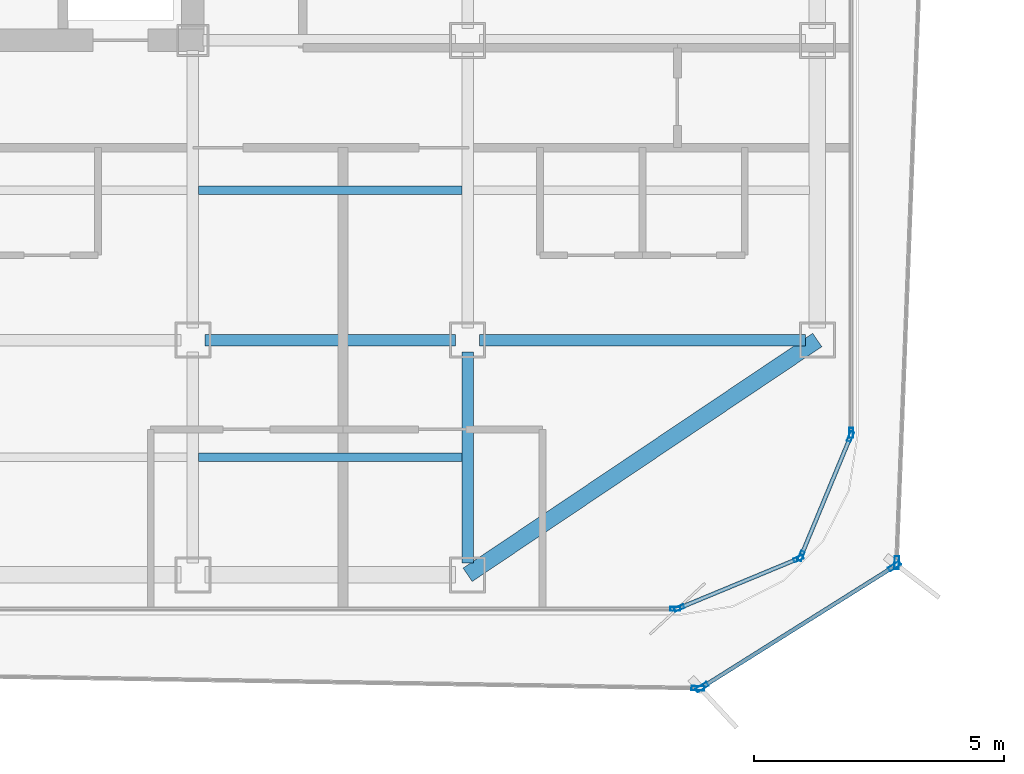
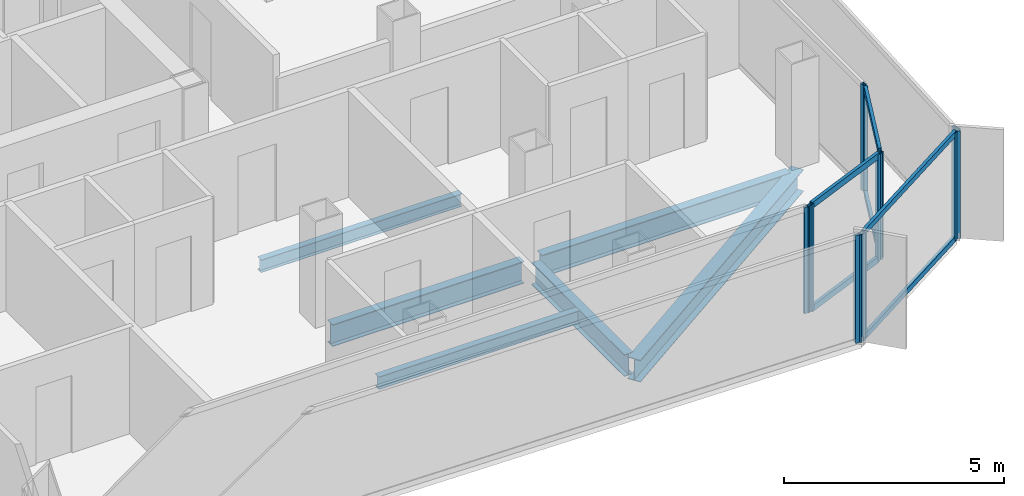
# One storey, part 4 of 16: 16 members, 6 beams, 7 elements without a shape of their own.
"""IFC4 building model written with IfcOpenShell, lengths in metres."""

from ifc_helpers import new_model, si_unit, direction, frame, origin, origin_2d, place, context, subcontext, project, spatial, hollow_rectangle, i_section, extrude, source, transform, mapped, material, layer, layer_set, material_profile, profile_set, type_object, element, aggregate, save


model = new_model("IFC4")

# Units and contexts
model_context = context("Model", 3, precision=1e-05, world=origin(), true_north=direction((0.0, 1.0)))
body_context = subcontext(model_context, "Body", "Model", "MODEL_VIEW")
ifc_project = project(units=[si_unit("LENGTHUNIT", "METRE"), si_unit("AREAUNIT", "SQUARE_METRE"), si_unit("VOLUMEUNIT", "CUBIC_METRE"), si_unit("PLANEANGLEUNIT", "RADIAN"), si_unit("MASSUNIT", "GRAM", prefix="KILO")], contexts=[model_context])

# Site, building, storey
site_placement = place(None, origin())
site = spatial("IfcSite", under=ifc_project, at=site_placement, CompositionType="ELEMENT")
building_placement = place(site_placement, origin())
building = spatial("IfcBuilding", under=site, at=building_placement, Name="Kolveth Station Tower", CompositionType="ELEMENT")
storey_placement = place(building_placement, frame((0.0, 0.0, 206.0)))
storey = spatial("IfcBuildingStorey", under=building, at=storey_placement, Name="L58", CompositionType="ELEMENT", Elevation=206.0)

# Beams
ifc_material_1 = material(Name="Steel S355", Category="steel")
ifc_material_profile_1 = material_profile(ifc_material_1, i_section(OverallWidth=0.323974609375, OverallDepth=0.611083984375, WebThickness=0.0126953125, FlangeThickness=0.01904296875, at=origin_2d()), Name="W610x155")
ifc_profile_set_1 = profile_set([ifc_material_profile_1], Name="Steel S355")
beam_type_1 = type_object("IfcBeamType", Name="Beam_SP2", PredefinedType="SPANDREL", material=ifc_profile_set_1)
shared_shape_1 = source(origin(), body_context, "Body", "SweptSolid", [
    extrude(i_section(OverallWidth=0.323974609375, OverallDepth=0.611083984375, WebThickness=0.0126953125, FlangeThickness=0.01904296875, at=origin_2d()), origin(), (0.0, 0.0, 1.0), 8.431396484375),
])
beam_1_placement = place(storey_placement, frame((34.0, 0.800048828125, -0.555419921875), z_axis=(0.830223811004, 0.557430196206, 0.0), x_axis=(-0.557430196206, 0.830223811004, 0.0)))
element("IfcBeam", 1, at=beam_1_placement, inside=storey, type_object=beam_type_1, Name="L58 Corner Edge Girder BM-L58-CNR-SE", PredefinedType="SPANDREL", context=body_context, shape_type="MappedRepresentation", body=[
    mapped(shared_shape_1, transform((0.0, 0.0, 0.0), x_axis=(1.0, 0.0, 0.0), y_axis=(0.0, 1.0, 0.0), z_axis=(0.0, 0.0, 1.0), scale=1.0)),
])
ifc_material_profile_2 = material_profile(ifc_material_1, i_section(OverallWidth=0.22900390625, OverallDepth=0.612060546875, WebThickness=0.011962890625, FlangeThickness=0.01953125, at=origin_2d()), Name="W610x125")
ifc_profile_set_2 = profile_set([ifc_material_profile_2], Name="Steel S355")
beam_type_2 = type_object("IfcBeamType", Name="Beam_B5", PredefinedType="BEAM", material=ifc_profile_set_2)
shared_shape_2 = source(origin(), body_context, "Body", "SweptSolid", [
    extrude(i_section(OverallWidth=0.22900390625, OverallDepth=0.612060546875, WebThickness=0.011962890625, FlangeThickness=0.01953125, at=origin_2d()), origin(), (0.0, 0.0, 1.0), 6.52001953125),
])
beam_2_placement = place(storey_placement, frame((34.239990234375, 5.5, -0.555908203125), z_axis=(1.0, 0.0, 0.0), x_axis=(0.0, 1.0, 0.0)))
element("IfcBeam", 2, at=beam_2_placement, inside=storey, type_object=beam_type_2, Name="L58 Primary Girder BM-L58-GY55-6", PredefinedType="BEAM", context=body_context, shape_type="MappedRepresentation", body=[
    mapped(shared_shape_2, transform((0.0, 0.0, 0.0), x_axis=(1.0, 0.0, 0.0), y_axis=(0.0, 1.0, 0.0), z_axis=(0.0, 0.0, 1.0), scale=1.0)),
])
shared_shape_3 = source(origin(), body_context, "Body", "SweptSolid", [
    extrude(i_section(OverallWidth=0.22900390625, OverallDepth=0.612060546875, WebThickness=0.011962890625, FlangeThickness=0.01953125, at=origin_2d()), origin(), (0.0, 0.0, 1.0), 5.02001953125),
])
beam_3_placement = place(storey_placement, frame((28.739990234375, 5.5, -0.555908203125), z_axis=(1.0, 0.0, 0.0), x_axis=(0.0, 1.0, 0.0)))
element("IfcBeam", 3, at=beam_3_placement, inside=storey, type_object=beam_type_2, Name="L58 Primary Girder BM-L58-GY55-5", PredefinedType="BEAM", context=body_context, shape_type="MappedRepresentation", body=[
    mapped(shared_shape_3, transform((0.0, 0.0, 0.0), x_axis=(1.0, 0.0, 0.0), y_axis=(0.0, 1.0, 0.0), z_axis=(0.0, 0.0, 1.0), scale=1.0)),
])
shared_shape_4 = source(origin(), body_context, "Body", "SweptSolid", [
    extrude(i_section(OverallWidth=0.22900390625, OverallDepth=0.612060546875, WebThickness=0.011962890625, FlangeThickness=0.01953125, at=origin_2d()), origin(), (0.0, 0.0, 1.0), 4.219970703125),
])
beam_4_placement = place(storey_placement, frame((34.0, 1.0400390625, -0.555908203125), z_axis=(0.0, 1.0, 0.0), x_axis=(-1.0, 0.0, 0.0)))
element("IfcBeam", 4, at=beam_4_placement, inside=storey, type_object=beam_type_2, Name="L58 Primary Girder BM-L58-GX340-1", PredefinedType="BEAM", context=body_context, shape_type="MappedRepresentation", body=[
    mapped(shared_shape_4, transform((0.0, 0.0, 0.0), x_axis=(1.0, 0.0, 0.0), y_axis=(0.0, 1.0, 0.0), z_axis=(0.0, 0.0, 1.0), scale=1.0)),
])
ifc_material_profile_3 = material_profile(ifc_material_1, i_section(OverallWidth=0.1708984375, OverallDepth=0.35205078125, WebThickness=0.0068359375, FlangeThickness=0.009765625, at=origin_2d()), Name="W360x44")
ifc_profile_set_3 = profile_set([ifc_material_profile_3], Name="Steel S355")
beam_type_3 = type_object("IfcBeamType", Name="Beam_J2", PredefinedType="JOIST", material=ifc_profile_set_3)
shared_shape_5 = source(origin(), body_context, "Body", "SweptSolid", [
    extrude(i_section(OverallWidth=0.1708984375, OverallDepth=0.35205078125, WebThickness=0.0068359375, FlangeThickness=0.009765625, at=origin_2d()), origin(), (0.0, 0.0, 1.0), 5.27490234375),
])
for number, where, z_axis, x_axis, name in (
    (5, (28.612548828125, 3.14990234375, -0.426025390625), (1.0, 0.0, 0.0), (0.0, 1.0, 0.0), "L58 Secondary Joist JST-L58-5-1"),
    (6, (28.612548828125, 8.5, -0.426025390625), (1.0, 0.0, 0.0), (0.0, 1.0, 0.0), "L58 Secondary Joist JST-L58-5-2"),
):
    element("IfcBeam", number, at=place(storey_placement, frame(where, z_axis=z_axis, x_axis=x_axis)), inside=storey, type_object=beam_type_3, Name=name, PredefinedType="JOIST", context=body_context, shape_type="MappedRepresentation", body=[
        mapped(shared_shape_5, transform((0.0, 0.0, 0.0), x_axis=(1.0, 0.0, 0.0), y_axis=(0.0, 1.0, 0.0), z_axis=(0.0, 0.0, 1.0), scale=1.0)),
    ])

# Curtain wall, members
ifc_material_2 = material(Name="Aluminium 6063-T6 and low-E dark glass", Category="aluminium")
ifc_layer_1 = layer(ifc_material_2, 0.18994140625)
ifc_layer_set_1 = layer_set([ifc_layer_1], Name="Aluminium 6063-T6 and low-E dark glass")
curtain_wall_type_1 = type_object("IfcCurtainWallType", Name="CurtainWall_CW-Z2", PredefinedType="NOTDEFINED", material=ifc_layer_set_1)
curtain_wall_1_placement = place(storey_placement, origin())
curtain_wall_1 = element("IfcCurtainWall", 7, at=curtain_wall_1_placement, inside=storey, type_object=curtain_wall_type_1, Name="L58 Inner Thermal Curtain Wall 1", PredefinedType="NOTDEFINED")
ifc_material_3 = material(Name="Black anodized aluminium 6063-T6", Category="aluminium")
ifc_material_profile_4 = material_profile(ifc_material_3, hollow_rectangle(XDim=0.080078125, YDim=0.199951171875, WallThickness=0.0048828125, at=origin_2d()), Name="ALU-80x200x5")
ifc_profile_set_4 = profile_set([ifc_material_profile_4], Name="Black anodized aluminium 6063-T6")
member_type_1 = type_object("IfcMemberType", Name="Mullion_ML2", PredefinedType="MULLION", material=ifc_profile_set_4)
shared_shape_6 = source(origin(), body_context, "Body", "SweptSolid", [
    extrude(hollow_rectangle(XDim=0.080078125, YDim=0.199951171875, WallThickness=0.0048828125, at=origin_2d()), origin(), (0.0, 0.0, 1.0), 2.949951171875),
])
member_1_placement = place(storey_placement, frame((38.237060546875, 0.13525390625, 0.0), z_axis=(0.0, 0.0, 1.0), x_axis=(-0.382697753087, 0.923873600544, 0.0)))
member_1 = element("IfcMember", 8, at=member_1_placement, type_object=member_type_1, Name="CW-Z2 mullion 1", PredefinedType="MULLION", context=body_context, shape_type="MappedRepresentation", body=[
    mapped(shared_shape_6, transform((0.0, 0.0, 0.0), x_axis=(1.0, 0.0, 0.0), y_axis=(0.0, 1.0, 0.0), z_axis=(0.0, 0.0, 1.0), scale=1.0)),
])
member_2_placement = place(storey_placement, frame((40.623779296875, 1.1240234375, 0.0), z_axis=(0.0, 0.0, 1.0), x_axis=(-0.382697753087, 0.923873600544, 0.0)))
member_2 = element("IfcMember", 9, at=member_2_placement, type_object=member_type_1, Name="CW-Z2 mullion 2", PredefinedType="MULLION", context=body_context, shape_type="MappedRepresentation", body=[
    mapped(shared_shape_6, transform((0.0, 0.0, 0.0), x_axis=(1.0, 0.0, 0.0), y_axis=(0.0, 1.0, 0.0), z_axis=(0.0, 0.0, 1.0), scale=1.0)),
])

curtain_wall_2_placement = place(storey_placement, origin())
curtain_wall_2 = element("IfcCurtainWall", 10, at=curtain_wall_2_placement, inside=storey, type_object=curtain_wall_type_1, Name="L58 Inner Thermal Curtain Wall 2", PredefinedType="NOTDEFINED")
member_3_placement = place(storey_placement, frame((40.676025390625, 1.17626953125, 0.0), z_axis=(0.0, 0.0, 1.0), x_axis=(-0.923873600544, 0.382697753087, 0.0)))
member_3 = element("IfcMember", 11, at=member_3_placement, type_object=member_type_1, Name="CW-Z2 mullion 1", PredefinedType="MULLION", context=body_context, shape_type="MappedRepresentation", body=[
    mapped(shared_shape_6, transform((0.0, 0.0, 0.0), x_axis=(1.0, 0.0, 0.0), y_axis=(0.0, 1.0, 0.0), z_axis=(0.0, 0.0, 1.0), scale=1.0)),
])
member_4_placement = place(storey_placement, frame((41.664794921875, 3.56298828125, 0.0), z_axis=(0.0, 0.0, 1.0), x_axis=(-0.923873600544, 0.382697753087, 0.0)))
member_4 = element("IfcMember", 12, at=member_4_placement, type_object=member_type_1, Name="CW-Z2 mullion 2", PredefinedType="MULLION", context=body_context, shape_type="MappedRepresentation", body=[
    mapped(shared_shape_6, transform((0.0, 0.0, 0.0), x_axis=(1.0, 0.0, 0.0), y_axis=(0.0, 1.0, 0.0), z_axis=(0.0, 0.0, 1.0), scale=1.0)),
])

# Curtain wall, member
curtain_wall_3_placement = place(storey_placement, origin())
curtain_wall_3 = element("IfcCurtainWall", 13, at=curtain_wall_3_placement, inside=storey, type_object=curtain_wall_type_1, Name="L58 Inner Thermal Curtain Wall 3", PredefinedType="NOTDEFINED")
member_5_placement = place(storey_placement, frame((41.679931640625, 3.639892578125, 0.0), z_axis=(0.0, 0.0, 1.0), x_axis=(-1.0, 0.0, 0.0)))
member_5 = element("IfcMember", 14, at=member_5_placement, type_object=member_type_1, Name="CW-Z2 mullion 1", PredefinedType="MULLION", context=body_context, shape_type="MappedRepresentation", body=[
    mapped(shared_shape_6, transform((0.0, 0.0, 0.0), x_axis=(1.0, 0.0, 0.0), y_axis=(0.0, 1.0, 0.0), z_axis=(0.0, 0.0, 1.0), scale=1.0)),
])
aggregate(curtain_wall_3, [member_5])

curtain_wall_4_placement = place(storey_placement, origin())
curtain_wall_4 = element("IfcCurtainWall", 15, at=curtain_wall_4_placement, inside=storey, type_object=curtain_wall_type_1, Name="L58 Inner Thermal Curtain Wall 12", PredefinedType="NOTDEFINED")
member_6_placement = place(storey_placement, frame((38.159912109375, 0.1201171875, 0.0), z_axis=(0.0, 0.0, 1.0), x_axis=(0.0, 1.0, 0.0)))
member_6 = element("IfcMember", 16, at=member_6_placement, type_object=member_type_1, Name="CW-Z2 mullion 2", PredefinedType="MULLION", context=body_context, shape_type="MappedRepresentation", body=[
    mapped(shared_shape_6, transform((0.0, 0.0, 0.0), x_axis=(1.0, 0.0, 0.0), y_axis=(0.0, 1.0, 0.0), z_axis=(0.0, 0.0, 1.0), scale=1.0)),
])
aggregate(curtain_wall_4, [member_6])

# Curtain wall, members
ifc_material_4 = material(Name="Black anodized aluminium 6063-T6 and dark solar glass", Category="aluminium")
ifc_layer_2 = layer(ifc_material_4, 0.159912109375)
ifc_layer_set_2 = layer_set([ifc_layer_2], Name="Black anodized aluminium 6063-T6 and dark solar glass")
curtain_wall_type_2 = type_object("IfcCurtainWallType", Name="OUTER SKIN CW-OS", PredefinedType="NOTDEFINED", material=ifc_layer_set_2)
curtain_wall_5_placement = place(storey_placement, origin())
curtain_wall_5 = element("IfcCurtainWall", 17, at=curtain_wall_5_placement, inside=storey, type_object=curtain_wall_type_2, Name="L58 Outer Ventilated Skin Curtain Wall 1", PredefinedType="NOTDEFINED")
ifc_material_profile_5 = material_profile(ifc_material_3, hollow_rectangle(XDim=0.090087890625, YDim=0.260009765625, WallThickness=0.0048828125, at=origin_2d()), Name="ALU-90x260x5")
ifc_profile_set_5 = profile_set([ifc_material_profile_5], Name="Black anodized aluminium 6063-T6")
member_type_2 = type_object("IfcMemberType", Name="FIN MULLION ML-OS", PredefinedType="MULLION", material=ifc_profile_set_5)
shared_shape_7 = source(origin(), body_context, "Body", "SweptSolid", [
    extrude(hollow_rectangle(XDim=0.090087890625, YDim=0.260009765625, WallThickness=0.0048828125, at=origin_2d()), origin(), (0.0, 0.0, 1.0), 2.989990234375),
])
member_7_placement = place(storey_placement, frame((38.694580078125, -1.44873046875, 0.0), z_axis=(0.0, 0.0, 1.0), x_axis=(-0.532176837633, 0.846633222527, 0.0)))
member_7 = element("IfcMember", 18, at=member_7_placement, type_object=member_type_2, Name="CW-OS mullion 1", PredefinedType="MULLION", context=body_context, shape_type="MappedRepresentation", body=[
    mapped(shared_shape_7, transform((0.0, 0.0, 0.0), x_axis=(1.0, 0.0, 0.0), y_axis=(0.0, 1.0, 0.0), z_axis=(0.0, 0.0, 1.0), scale=1.0)),
])
member_8_placement = place(storey_placement, frame((42.5498046875, 0.974609375, 0.0), z_axis=(0.0, 0.0, 1.0), x_axis=(-0.532176837633, 0.846633222527, 0.0)))
member_8 = element("IfcMember", 19, at=member_8_placement, type_object=member_type_2, Name="CW-OS mullion 2", PredefinedType="MULLION", context=body_context, shape_type="MappedRepresentation", body=[
    mapped(shared_shape_7, transform((0.0, 0.0, 0.0), x_axis=(1.0, 0.0, 0.0), y_axis=(0.0, 1.0, 0.0), z_axis=(0.0, 0.0, 1.0), scale=1.0)),
])

# Curtain wall, member
curtain_wall_6_placement = place(storey_placement, origin())
curtain_wall_6 = element("IfcCurtainWall", 20, at=curtain_wall_6_placement, inside=storey, type_object=curtain_wall_type_2, Name="L58 Outer Ventilated Skin Curtain Wall 2", PredefinedType="NOTDEFINED")
member_9_placement = place(storey_placement, frame((42.58984375, 1.04345703125, 0.0), z_axis=(0.0, 0.0, 1.0), x_axis=(-0.999237225825, 0.039050819788, 0.0)))
member_9 = element("IfcMember", 21, at=member_9_placement, type_object=member_type_2, Name="CW-OS mullion 1", PredefinedType="MULLION", context=body_context, shape_type="MappedRepresentation", body=[
    mapped(shared_shape_7, transform((0.0, 0.0, 0.0), x_axis=(1.0, 0.0, 0.0), y_axis=(0.0, 1.0, 0.0), z_axis=(0.0, 0.0, 1.0), scale=1.0)),
])
aggregate(curtain_wall_6, [member_9])

curtain_wall_7_placement = place(storey_placement, origin())
curtain_wall_7 = element("IfcCurtainWall", 22, at=curtain_wall_7_placement, inside=storey, type_object=curtain_wall_type_2, Name="L58 Outer Ventilated Skin Curtain Wall 8", PredefinedType="NOTDEFINED")
member_10_placement = place(storey_placement, frame((38.611572265625, -1.471923828125, 0.0), z_axis=(0.0, 0.0, 1.0), x_axis=(0.016541494062, 0.999863180127, 0.0)))
member_10 = element("IfcMember", 23, at=member_10_placement, type_object=member_type_2, Name="CW-OS mullion 2", PredefinedType="MULLION", context=body_context, shape_type="MappedRepresentation", body=[
    mapped(shared_shape_7, transform((0.0, 0.0, 0.0), x_axis=(1.0, 0.0, 0.0), y_axis=(0.0, 1.0, 0.0), z_axis=(0.0, 0.0, 1.0), scale=1.0)),
])
aggregate(curtain_wall_7, [member_10])

# Member
ifc_material_profile_6 = material_profile(ifc_material_3, hollow_rectangle(XDim=0.080078125, YDim=0.169921875, WallThickness=0.0048828125, at=origin_2d()), Name="ALU-80x170x5")
ifc_profile_set_6 = profile_set([ifc_material_profile_6], Name="Black anodized aluminium 6063-T6")
member_type_3 = type_object("IfcMemberType", Name="Transom_TR2", PredefinedType="USERDEFINED", material=ifc_profile_set_6)
shared_shape_8 = source(origin(), body_context, "Body", "SweptSolid", [
    extrude(hollow_rectangle(XDim=0.080078125, YDim=0.169921875, WallThickness=0.0048828125, at=origin_2d()), origin(), (0.0, 0.0, 1.0), 2.50341796875),
])
member_11_placement = place(storey_placement, frame((38.27392578125, 0.150634765625, 0.0400390625), z_axis=(0.923874190494, 0.382696328882, 0.0), x_axis=(-0.382696328882, 0.923874190494, 0.0)))
member_11 = element("IfcMember", 24, at=member_11_placement, type_object=member_type_3, Name="CW-Z2 transom 1.1", ObjectType="TRANSOM", PredefinedType="USERDEFINED", context=body_context, shape_type="MappedRepresentation", body=[
    mapped(shared_shape_8, transform((0.0, 0.0, 0.0), x_axis=(1.0, 0.0, 0.0), y_axis=(0.0, 1.0, 0.0), z_axis=(0.0, 0.0, 1.0), scale=1.0)),
])

member_12_placement = place(storey_placement, frame((38.27392578125, 0.150634765625, 2.909912109375), z_axis=(0.923874190494, 0.382696328882, 0.0), x_axis=(-0.382696328882, 0.923874190494, 0.0)))
member_12 = element("IfcMember", 25, at=member_12_placement, type_object=member_type_3, Name="CW-Z2 transom 1.2", ObjectType="TRANSOM", PredefinedType="USERDEFINED", context=body_context, shape_type="MappedRepresentation", body=[
    mapped(shared_shape_8, transform((0.0, 0.0, 0.0), x_axis=(1.0, 0.0, 0.0), y_axis=(0.0, 1.0, 0.0), z_axis=(0.0, 0.0, 1.0), scale=1.0)),
])

aggregate(curtain_wall_1, [member_1, member_2, member_11, member_12])

member_13_placement = place(storey_placement, frame((40.69140625, 1.213134765625, 0.0400390625), z_axis=(0.382661849723, 0.923888472039, 0.0), x_axis=(-0.923888472039, 0.382661849723, 0.0)))
member_13 = element("IfcMember", 26, at=member_13_placement, type_object=member_type_3, Name="CW-Z2 transom 1.1", ObjectType="TRANSOM", PredefinedType="USERDEFINED", context=body_context, shape_type="MappedRepresentation", body=[
    mapped(shared_shape_8, transform((0.0, 0.0, 0.0), x_axis=(1.0, 0.0, 0.0), y_axis=(0.0, 1.0, 0.0), z_axis=(0.0, 0.0, 1.0), scale=1.0)),
])

member_14_placement = place(storey_placement, frame((40.69140625, 1.213134765625, 2.909912109375), z_axis=(0.382661849723, 0.923888472039, 0.0), x_axis=(-0.923888472039, 0.382661849723, 0.0)))
member_14 = element("IfcMember", 27, at=member_14_placement, type_object=member_type_3, Name="CW-Z2 transom 1.2", ObjectType="TRANSOM", PredefinedType="USERDEFINED", context=body_context, shape_type="MappedRepresentation", body=[
    mapped(shared_shape_8, transform((0.0, 0.0, 0.0), x_axis=(1.0, 0.0, 0.0), y_axis=(0.0, 1.0, 0.0), z_axis=(0.0, 0.0, 1.0), scale=1.0)),
])

aggregate(curtain_wall_2, [member_3, member_4, member_13, member_14])

ifc_material_profile_7 = material_profile(ifc_material_3, hollow_rectangle(XDim=0.080078125, YDim=0.14990234375, WallThickness=0.0048828125, at=origin_2d()), Name="ALU-80x150x5")
ifc_profile_set_7 = profile_set([ifc_material_profile_7], Name="Black anodized aluminium 6063-T6")
member_type_4 = type_object("IfcMemberType", Name="Transom_TR-OS", PredefinedType="USERDEFINED", material=ifc_profile_set_7)
shared_shape_9 = source(origin(), body_context, "Body", "SweptSolid", [
    extrude(hollow_rectangle(XDim=0.080078125, YDim=0.14990234375, WallThickness=0.0048828125, at=origin_2d()), origin(), (0.0, 0.0, 1.0), 4.46337890625),
])
member_15_placement = place(storey_placement, frame((38.73291015625, -1.4248046875, 0.0400390625), z_axis=(0.846612608063, 0.532209631506, 0.0), x_axis=(-0.532209631506, 0.846612608063, 0.0)))
member_15 = element("IfcMember", 28, at=member_15_placement, type_object=member_type_4, Name="CW-OS transom 1.1", ObjectType="TRANSOM", PredefinedType="USERDEFINED", context=body_context, shape_type="MappedRepresentation", body=[
    mapped(shared_shape_9, transform((0.0, 0.0, 0.0), x_axis=(1.0, 0.0, 0.0), y_axis=(0.0, 1.0, 0.0), z_axis=(0.0, 0.0, 1.0), scale=1.0)),
])

member_16_placement = place(storey_placement, frame((38.73291015625, -1.4248046875, 2.949951171875), z_axis=(0.846612608063, 0.532209631506, 0.0), x_axis=(-0.532209631506, 0.846612608063, 0.0)))
member_16 = element("IfcMember", 29, at=member_16_placement, type_object=member_type_4, Name="CW-OS transom 1.2", ObjectType="TRANSOM", PredefinedType="USERDEFINED", context=body_context, shape_type="MappedRepresentation", body=[
    mapped(shared_shape_9, transform((0.0, 0.0, 0.0), x_axis=(1.0, 0.0, 0.0), y_axis=(0.0, 1.0, 0.0), z_axis=(0.0, 0.0, 1.0), scale=1.0)),
])

aggregate(curtain_wall_5, [member_7, member_8, member_15, member_16])

save(model, "model.ifc")
